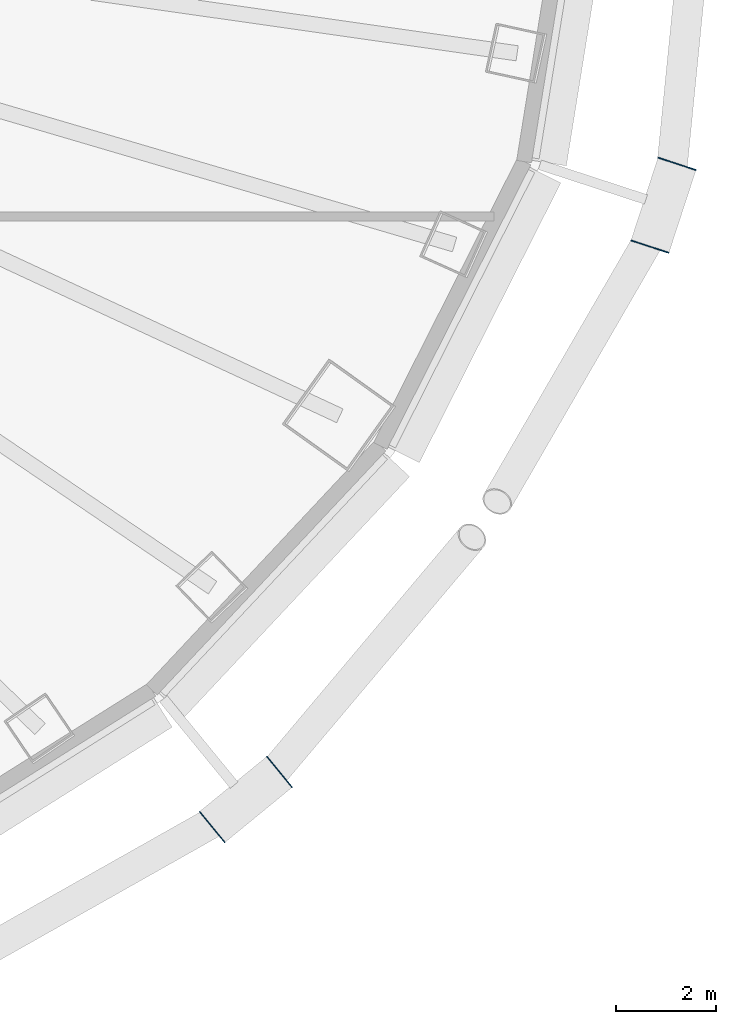
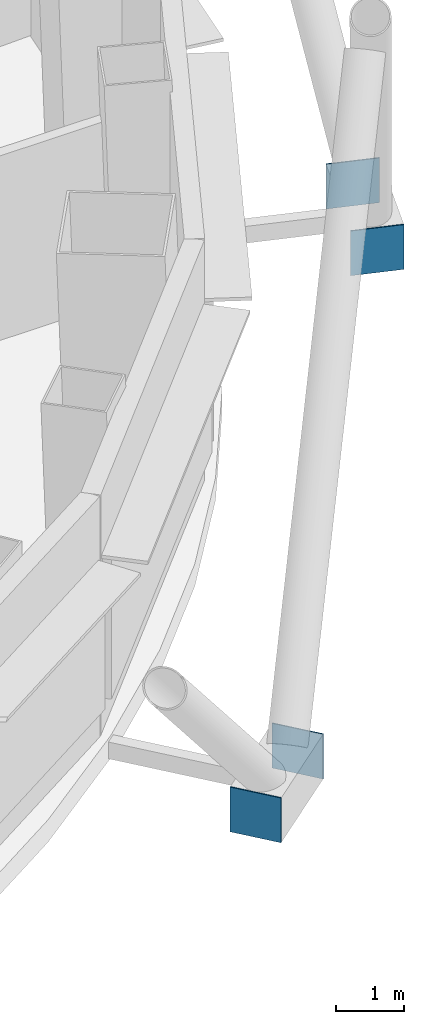
# One storey, part 8 of 14: 4 discrete accessories.
"""IFC4 building model written with IfcOpenShell, lengths in metres."""

from ifc_helpers import new_model, si_unit, direction, frame, origin, origin_2d, place, context, subcontext, project, spatial, rectangle, extrude, material, layer, layer_set, type_object, element, save


model = new_model("IFC4")

# Units and contexts
model_context = context("Model", 3, precision=1e-05, world=origin(), true_north=direction((0.0, 1.0)))
body_context = subcontext(model_context, "Body", "Model", "MODEL_VIEW")
ifc_project = project(units=[si_unit("LENGTHUNIT", "METRE"), si_unit("AREAUNIT", "SQUARE_METRE"), si_unit("VOLUMEUNIT", "CUBIC_METRE"), si_unit("PLANEANGLEUNIT", "RADIAN"), si_unit("MASSUNIT", "GRAM", prefix="KILO")], contexts=[model_context])

# Site, building, storey
site_placement = place(None, origin())
site = spatial("IfcSite", under=ifc_project, at=site_placement, CompositionType="ELEMENT")
building_placement = place(site_placement, origin())
building = spatial("IfcBuilding", under=site, at=building_placement, Name="Siaravel Broadcast Tower", CompositionType="ELEMENT")
storey_placement = place(building_placement, frame((0.0, 0.0, 20.0)))
storey = spatial("IfcBuildingStorey", under=building, at=storey_placement, Name="L03", CompositionType="ELEMENT", Elevation=20.0)

# Discrete accessories
ifc_material = material(Name="Steel S355", Category="steel")
ifc_layer = layer(ifc_material, 0.02001953125)
ifc_layer_set = layer_set([ifc_layer], Name="Steel S355")
discrete_accessory_type = type_object("IfcDiscreteAccessoryType", Name="Steel end plate 20 mm", PredefinedType="USERDEFINED", material=ifc_layer_set)
for number, where, z_axis, x_axis, name in (
    (1, (22.880126953125, -18.300048828125, -0.60009765625), (0.0, 0.0, 1.0), (0.773604694, 0.633668508, 0.0), "End plate R02 station 63A"),
    (2, (21.533203125, -19.4033203125, -0.60009765625), (0.0, 0.0, 1.0), (0.773604694, 0.633668508, 0.0), "End plate R02 station 63B"),
    (3, (30.825927734375, -6.14501953125, -0.60009765625), (0.0, 0.0, 1.0), (0.310908675, 0.950439791, 0.0), "End plate R02 station 69A"),
    (4, (30.284912109375, -7.7998046875, -0.60009765625), (0.0, 0.0, 1.0), (0.310908675, 0.950439791, 0.0), "End plate R02 station 69B"),
):
    element("IfcDiscreteAccessory", number, at=place(storey_placement, frame(where, z_axis=z_axis, x_axis=x_axis)), inside=storey, type_object=discrete_accessory_type, Name=name, ObjectType="END PLATE", PredefinedType="USERDEFINED", context=body_context, shape_type="SweptSolid", body=[
        extrude(rectangle(XDim=0.02001953125, YDim=0.800048828125, at=origin_2d()), origin(), (0.0, 0.0, 1.0), 0.800048828125),
    ])

save(model, "model.ifc")
